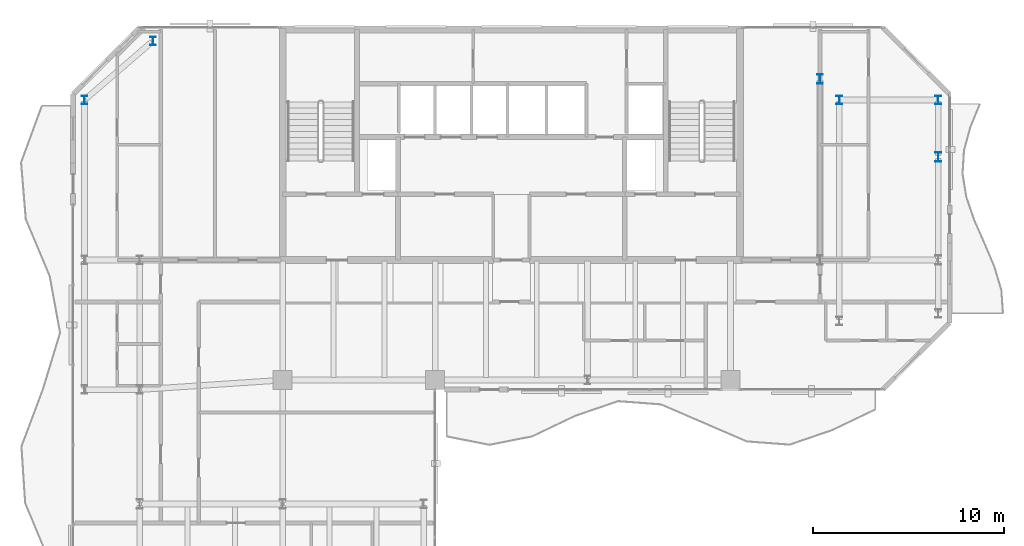
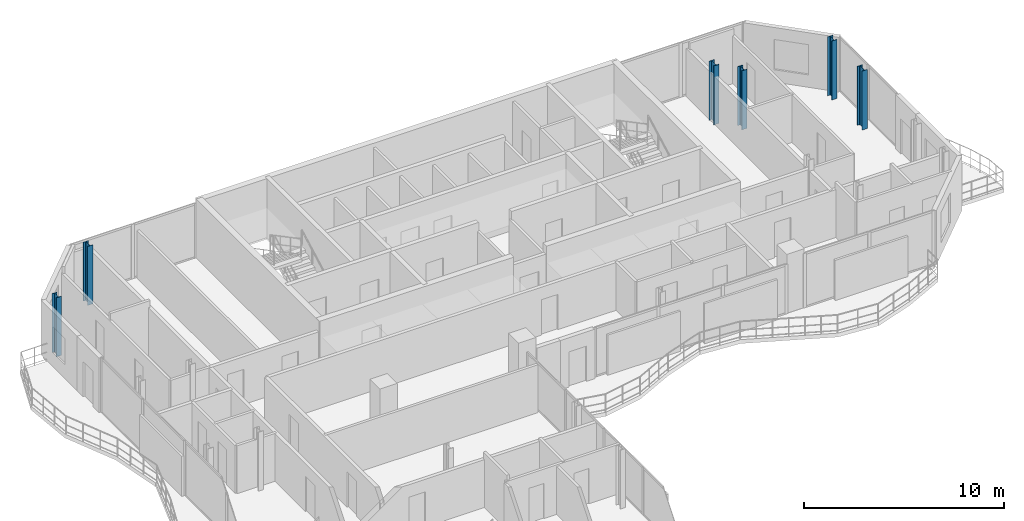
# One storey, part 2 of 23: 6 columns.
"""IFC4 building model written with IfcOpenShell, lengths in metres."""

from ifc_helpers import new_model, si_unit, direction, frame, origin, origin_2d, place, context, subcontext, project, spatial, i_section, extrude, material, material_profile, profile_set, type_object, element, save


model = new_model("IFC4")

# Units and contexts
model_context = context("Model", 3, precision=1e-05, world=origin(), true_north=direction((0.0, 1.0)))
body_context = subcontext(model_context, "Body", "Model", "MODEL_VIEW")
ifc_project = project(units=[si_unit("LENGTHUNIT", "METRE"), si_unit("AREAUNIT", "SQUARE_METRE"), si_unit("VOLUMEUNIT", "CUBIC_METRE"), si_unit("PLANEANGLEUNIT", "RADIAN"), si_unit("MASSUNIT", "GRAM", prefix="KILO")], contexts=[model_context])

# Site, building, storey
site_placement = place(None, origin())
site = spatial("IfcSite", under=ifc_project, at=site_placement, CompositionType="ELEMENT")
building_placement = place(site_placement, origin())
building = spatial("IfcBuilding", under=site, at=building_placement, Name="Catumbela Crestline Tower", CompositionType="ELEMENT")
storey_placement = place(building_placement, frame((0.0, 0.0, 193.8)))
storey = spatial("IfcBuildingStorey", under=building, at=storey_placement, Name="L50", CompositionType="ELEMENT", Elevation=193.8)

# Columns
ifc_material = material(Name="Structural steel S355J2", Category="steel")
ifc_material_profile_1 = material_profile(ifc_material, i_section(OverallWidth=0.3, OverallDepth=0.45, WebThickness=0.014, FlangeThickness=0.026, FilletRadius=0.027, at=origin_2d()), Name="HEB 450")
ifc_profile_set_1 = profile_set([ifc_material_profile_1], Name="Structural steel S355J2")
column_type_1 = type_object("IfcColumnType", Name="C-ST-HEB450", PredefinedType="COLUMN", material=ifc_profile_set_1)
for number, where, z_axis, x_axis, name in (
    (1, (5.6, 39.2, 0.0), (0.0, 0.0, 1.0), (1.0, 0.0, 0.0), "L50 Column C-05-43 (HEB 450)"),
    (2, (9.2, 42.3, 0.0), (0.0, 0.0, 1.0), (1.0, 0.0, 0.0), "L50 Column C-08-43 (HEB 450)"),
    (3, (45.2, 39.2, 0.0), (0.0, 0.0, 1.0), (1.0, 0.0, 0.0), "L50 Column C-46-43 (HEB 450)"),
    (4, (50.4, 39.2, 0.0), (0.0, 0.0, 1.0), (1.0, 0.0, 0.0), "L50 Column C-51-43 (HEB 450)"),
):
    element("IfcColumn", number, at=place(storey_placement, frame(where, z_axis=z_axis, x_axis=x_axis)), inside=storey, type_object=column_type_1, Name=name, PredefinedType="COLUMN", context=body_context, shape_type="SweptSolid", body=[
        extrude(i_section(OverallWidth=0.3, OverallDepth=0.45, WebThickness=0.014, FlangeThickness=0.026, FilletRadius=0.027, at=origin_2d()), origin(), (0.0, 0.0, 1.0), 3.6),
    ])
ifc_material_profile_2 = material_profile(ifc_material, i_section(OverallWidth=0.3, OverallDepth=0.5, WebThickness=0.0145, FlangeThickness=0.028, FilletRadius=0.027, at=origin_2d()), Name="HEB 500")
ifc_profile_set_2 = profile_set([ifc_material_profile_2], Name="Structural steel S355J2")
column_type_2 = type_object("IfcColumnType", Name="C-ST-HEB500", PredefinedType="COLUMN", material=ifc_profile_set_2)
for number, where, z_axis, x_axis, name in (
    (5, (44.2, 40.3, 0.0), (0.0, 0.0, 1.0), (1.0, 0.0, 0.0), "L50 Column CT-46-37 (HEB 500)"),
    (6, (50.4, 36.2, 0.0), (0.0, 0.0, 1.0), (1.0, 0.0, 0.0), "L50 Column CT-51-37 (HEB 500)"),
):
    element("IfcColumn", number, at=place(storey_placement, frame(where, z_axis=z_axis, x_axis=x_axis)), inside=storey, type_object=column_type_2, Name=name, PredefinedType="COLUMN", context=body_context, shape_type="SweptSolid", body=[
        extrude(i_section(OverallWidth=0.3, OverallDepth=0.5, WebThickness=0.0145, FlangeThickness=0.028, FilletRadius=0.027, at=origin_2d()), origin(), (0.0, 0.0, 1.0), 3.6),
    ])

save(model, "model.ifc")
